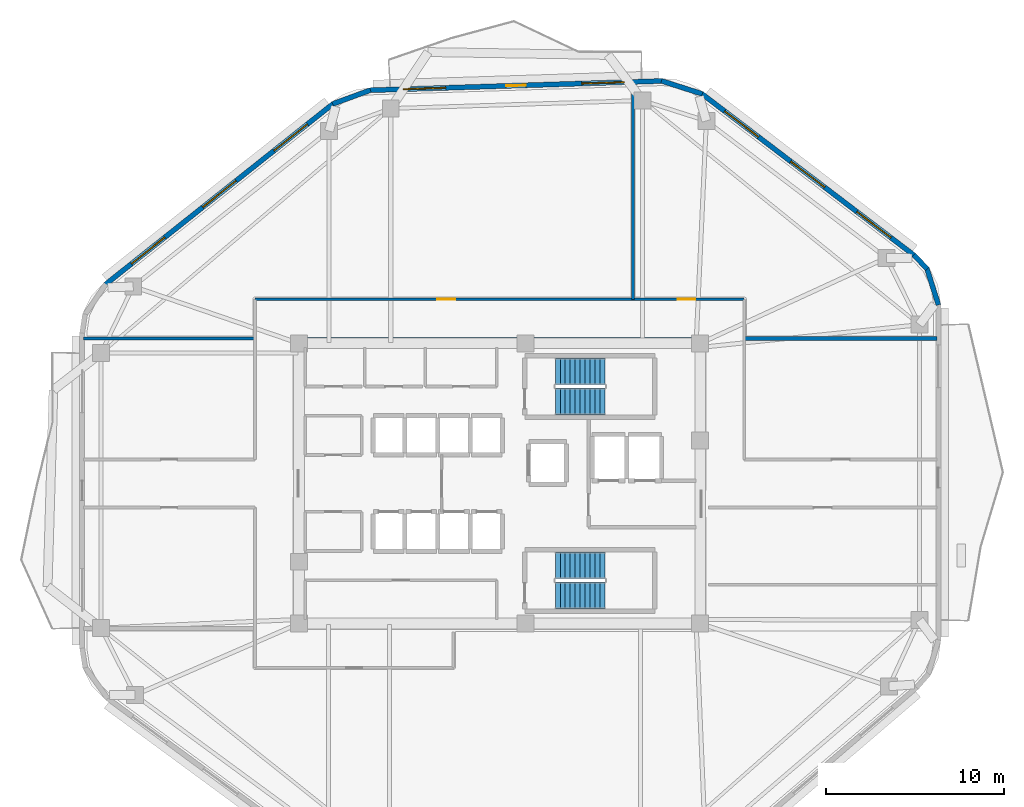
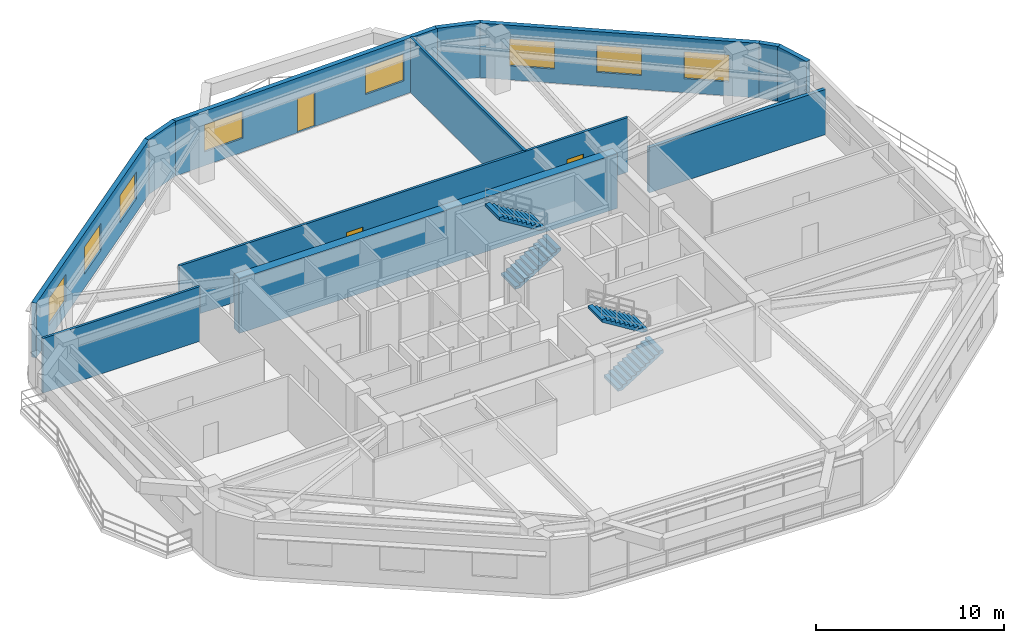
# One storey, part 10 of 12: 12 walls, 8 windows, 4 stair flights, 3 doors, 11 openings, 2 elements without a shape of their own.
"""IFC4 building model written with IfcOpenShell, lengths in metres."""

from ifc_helpers import new_model, si_unit, direction, frame, frame_2d, origin, place, context, subcontext, project, spatial, polyline, rectangle, outline, extrude, material, layer, layer_set, type_object, element, fill, aggregate, save


model = new_model("IFC4")

# Units and contexts
model_context = context("Model", 3, precision=1e-05, world=origin(), true_north=direction((0.0, 1.0)))
body_context = subcontext(model_context, "Body", "Model", "MODEL_VIEW")
ifc_project = project(units=[si_unit("LENGTHUNIT", "METRE"), si_unit("AREAUNIT", "SQUARE_METRE"), si_unit("VOLUMEUNIT", "CUBIC_METRE"), si_unit("PLANEANGLEUNIT", "RADIAN"), si_unit("MASSUNIT", "GRAM", prefix="KILO")], contexts=[model_context])

# Site, building, storey
site_placement = place(None, origin())
site = spatial("IfcSite", under=ifc_project, at=site_placement, CompositionType="ELEMENT")
building_placement = place(site_placement, origin())
building = spatial("IfcBuilding", under=site, at=building_placement, Name="Zulverin Broadcast Headquarters", CompositionType="ELEMENT")
storey_placement = place(building_placement, frame((0.0, 0.0, 185.800048828125)))
storey = spatial("IfcBuildingStorey", under=building, at=storey_placement, Name="L47", CompositionType="ELEMENT", Elevation=185.800048828125)

# Walls
ifc_material_1 = material(Name="Double-stud acoustic drywall", Category="gypsum")
ifc_layer_1 = layer(ifc_material_1, 0.219970703125, Name="Double-stud acoustic drywall", Category="gypsum")
ifc_layer_set_1 = layer_set([ifc_layer_1], Name="Double-stud acoustic drywall")
wall_type_1 = type_object("IfcWallType", Name="WL-ACOU-220", PredefinedType="PARTITIONING", material=ifc_layer_set_1)
wall_1_placement = place(storey_placement, frame((50.75, 33.35009765625, 0.0), z_axis=(0.0, 0.0, 1.0), x_axis=(1.0, 0.0, 0.0)))
element("IfcWall", 1, at=wall_1_placement, inside=storey, type_object=wall_type_1, Name="L47 Room Partition Wall RP-14", PredefinedType="PARTITIONING", context=body_context, shape_type="SweptSolid", body=[
    extrude(rectangle(XDim=10.844970703125, YDim=0.219970703125, at=frame_2d((5.42236328125, 0.0))), origin(), (0.0, 0.0, 1.0), 2.9228515625),
])
ifc_material_2 = material(Name="Concrete C60/75", Category="concrete")
ifc_layer_2 = layer(ifc_material_2, 0.550048828125, Name="Concrete C60/75", Category="concrete")
ifc_layer_set_2 = layer_set([ifc_layer_2], Name="Concrete C60/75")
wall_type_2 = type_object("IfcWallType", Name="WL-CORE-550", PredefinedType="SHEAR", material=ifc_layer_set_2)
wall_2_placement = place(storey_placement, frame((25.39990234375, 33.125, 0.0), z_axis=(0.0, 0.0, 1.0), x_axis=(1.0, 0.0, 0.0)))
element("IfcWall", 2, at=wall_2_placement, inside=storey, type_object=wall_type_2, Name="L47 Core North Shear Wall", PredefinedType="SHEAR", context=body_context, shape_type="SweptSolid", body=[
    extrude(rectangle(XDim=23.2001953125, YDim=0.550048828125, at=frame_2d((11.60009765625, 0.0))), origin(), (0.0, 0.0, 1.0), 3.5400390625),
])

# Wall, openings, windows
ifc_material_3 = material(Name="Insulated pale-metal clad concrete spandrel C40/50", Category="concrete")
ifc_layer_3 = layer(ifc_material_3, 0.280029296875, Name="Insulated pale-metal clad concrete spandrel C40/50", Category="concrete")
ifc_layer_set_3 = layer_set([ifc_layer_3], Name="Insulated pale-metal clad concrete spandrel C40/50")
wall_type_3 = type_object("IfcWallType", Name="WL-EXT-280", PredefinedType="STANDARD", material=ifc_layer_set_3)
wall_3_placement = place(storey_placement, frame((60.294921875, 38.025146484375, 0.0), z_axis=(0.0, 0.0, 1.0), x_axis=(-0.795831760834, 0.605517801925, 0.0)))
wall_3 = element("IfcWall", 3, at=wall_3_placement, inside=storey, type_object=wall_type_3, Name="L47 Pale-Metal Clad Spandrel Wall 4", PredefinedType="STANDARD", context=body_context, shape_type="SweptSolid", body=[
    extrude(rectangle(XDim=15.01171875, YDim=0.280029296875, at=frame_2d((7.505859375, 0.0))), origin(), (0.0, 0.0, 1.0), 3.5400390625),
])
opening_1_placement = place(wall_3_placement, frame((1.63525390625, 0.0, 0.89990234375)))
opening_1 = element("IfcOpeningElement", 4, at=opening_1_placement, cuts=wall_3, Name="Opening W-L47-E41", PredefinedType="OPENING", context=body_context, shape_type="SweptSolid", body=[
    extrude(rectangle(XDim=2.39990234375, YDim=1.75, at=frame_2d((1.199951171875, 0.875))), frame((0.0, 0.14990234375, 0.0), z_axis=(0.0, -1.0, 0.0), x_axis=(1.0, 0.0, 0.0)), (0.0, 0.0, 1.0), 0.300048828125),
])
opening_2_placement = place(wall_3_placement, frame((6.305908203125, 0.0, 0.89990234375)))
opening_2 = element("IfcOpeningElement", 5, at=opening_2_placement, cuts=wall_3, Name="Opening W-L47-E42", PredefinedType="OPENING", context=body_context, shape_type="SweptSolid", body=[
    extrude(rectangle(XDim=2.39990234375, YDim=1.75, at=frame_2d((1.199951171875, 0.875))), frame((0.0, 0.14990234375, 0.0), z_axis=(0.0, -1.0, 0.0), x_axis=(1.0, 0.0, 0.0)), (0.0, 0.0, 1.0), 0.300048828125),
])
opening_3_placement = place(wall_3_placement, frame((10.9765625, 0.0, 0.89990234375)))
opening_3 = element("IfcOpeningElement", 6, at=opening_3_placement, cuts=wall_3, Name="Opening W-L47-E43", PredefinedType="OPENING", context=body_context, shape_type="SweptSolid", body=[
    extrude(rectangle(XDim=2.39990234375, YDim=1.75, at=frame_2d((1.199951171875, 0.875))), frame((0.0, 0.14990234375, 0.0), z_axis=(0.0, -1.0, 0.0), x_axis=(1.0, 0.0, 0.0)), (0.0, 0.0, 1.0), 0.300048828125),
])
ifc_material_4 = material(Name="Pale anodized aluminium frame with solar-control low-E double glazing", Category="aluminium")
window_type = type_object("IfcWindowType", Name="WIN-RIB-2400", PartitioningType="SINGLE_PANEL", PredefinedType="WINDOW", material=ifc_material_4)
window_1_placement = place(opening_1_placement, origin())
window_1 = element("IfcWindow", 7, at=window_1_placement, inside=storey, type_object=window_type, Name="L47 Ribbon Glazing Window 4 1", OverallHeight=1.75, OverallWidth=2.39990234375, PartitioningType="SINGLE_PANEL", PredefinedType="WINDOW", context=body_context, shape_type="SweptSolid", body=[
    extrude(rectangle(XDim=2.39990234375, YDim=1.75, at=frame_2d((1.199951171875, 0.875))), frame((0.0, 0.030029296875, 0.0), z_axis=(0.0, -1.0, 0.0), x_axis=(1.0, 0.0, 0.0)), (0.0, 0.0, 1.0), 0.06005859375),
])
fill(opening_1, window_1)
window_2_placement = place(opening_2_placement, origin())
window_2 = element("IfcWindow", 8, at=window_2_placement, inside=storey, type_object=window_type, Name="L47 Ribbon Glazing Window 4 2", OverallHeight=1.75, OverallWidth=2.39990234375, PartitioningType="SINGLE_PANEL", PredefinedType="WINDOW", context=body_context, shape_type="SweptSolid", body=[
    extrude(rectangle(XDim=2.39990234375, YDim=1.75, at=frame_2d((1.199951171875, 0.875))), frame((0.0, 0.030029296875, 0.0), z_axis=(0.0, -1.0, 0.0), x_axis=(1.0, 0.0, 0.0)), (0.0, 0.0, 1.0), 0.06005859375),
])
fill(opening_2, window_2)
window_3_placement = place(opening_3_placement, origin())
window_3 = element("IfcWindow", 9, at=window_3_placement, inside=storey, type_object=window_type, Name="L47 Ribbon Glazing Window 4 3", OverallHeight=1.75, OverallWidth=2.39990234375, PartitioningType="SINGLE_PANEL", PredefinedType="WINDOW", context=body_context, shape_type="SweptSolid", body=[
    extrude(rectangle(XDim=2.39990234375, YDim=1.75, at=frame_2d((1.199951171875, 0.875))), frame((0.0, 0.030029296875, 0.0), z_axis=(0.0, -1.0, 0.0), x_axis=(1.0, 0.0, 0.0)), (0.0, 0.0, 1.0), 0.06005859375),
])
fill(opening_3, window_3)

# Wall, openings, door, windows
wall_4_placement = place(storey_placement, frame((46.143310546875, 47.819580078125, 0.0), z_axis=(0.0, 0.0, 1.0), x_axis=(-0.999497065256, -0.031711457627, 0.0)))
wall_4 = element("IfcWall", 10, at=wall_4_placement, inside=storey, type_object=wall_type_3, Name="L47 Pale-Metal Clad Spandrel Wall 5", PredefinedType="STANDARD", context=body_context, shape_type="SweptSolid", body=[
    extrude(rectangle(XDim=16.452392578125, YDim=0.280029296875, at=frame_2d((8.22607421875, 0.0))), origin(), (0.0, 0.0, 1.0), 3.5400390625),
])
opening_4_placement = place(wall_4_placement, frame((7.67626953125, 0.0, 0.0)))
opening_4 = element("IfcOpeningElement", 11, at=opening_4_placement, cuts=wall_4, Name="Opening D-L47-TR5", PredefinedType="OPENING", context=body_context, shape_type="SweptSolid", body=[
    extrude(rectangle(XDim=1.10009765625, YDim=2.199951171875, at=frame_2d((0.550048828125, 1.10009765625))), frame((0.0, 0.14990234375, 0.0), z_axis=(0.0, -1.0, 0.0), x_axis=(1.0, 0.0, 0.0)), (0.0, 0.0, 1.0), 0.300048828125),
])
opening_5_placement = place(wall_4_placement, frame((2.12548828125, 0.0, 0.89990234375)))
opening_5 = element("IfcOpeningElement", 12, at=opening_5_placement, cuts=wall_4, Name="Opening W-L47-E51", PredefinedType="OPENING", context=body_context, shape_type="SweptSolid", body=[
    extrude(rectangle(XDim=2.39990234375, YDim=1.75, at=frame_2d((1.199951171875, 0.875))), frame((0.0, 0.14990234375, 0.0), z_axis=(0.0, -1.0, 0.0), x_axis=(1.0, 0.0, 0.0)), (0.0, 0.0, 1.0), 0.300048828125),
])
opening_6_placement = place(wall_4_placement, frame((12.177001953125, 0.0, 0.89990234375)))
opening_6 = element("IfcOpeningElement", 13, at=opening_6_placement, cuts=wall_4, Name="Opening W-L47-E52", PredefinedType="OPENING", context=body_context, shape_type="SweptSolid", body=[
    extrude(rectangle(XDim=2.39990234375, YDim=1.75, at=frame_2d((1.199951171875, 0.875))), frame((0.0, 0.14990234375, 0.0), z_axis=(0.0, -1.0, 0.0), x_axis=(1.0, 0.0, 0.0)), (0.0, 0.0, 1.0), 0.300048828125),
])
ifc_material_5 = material(Name="Thermally broken aluminium glazed", Category="aluminium")
door_type_1 = type_object("IfcDoorType", Name="DR-TERR-1100", OperationType="SINGLE_SWING_RIGHT", PredefinedType="DOOR", material=ifc_material_5)
door_1_placement = place(opening_4_placement, origin())
door_1 = element("IfcDoor", 14, at=door_1_placement, inside=storey, type_object=door_type_1, Name="L47 Planted Terrace Glazed Access Door 5", OperationType="SINGLE_SWING_RIGHT", OverallHeight=2.199951171875, OverallWidth=1.10009765625, PredefinedType="DOOR", context=body_context, shape_type="SweptSolid", body=[
    extrude(rectangle(XDim=1.10009765625, YDim=2.199951171875, at=frame_2d((0.550048828125, 1.10009765625))), frame((0.0, 0.02490234375, 0.0), z_axis=(0.0, -1.0, 0.0), x_axis=(1.0, 0.0, 0.0)), (0.0, 0.0, 1.0), 0.050048828125),
])
fill(opening_4, door_1)
window_4_placement = place(opening_5_placement, origin())
window_4 = element("IfcWindow", 15, at=window_4_placement, inside=storey, type_object=window_type, Name="L47 Ribbon Glazing Window 5 1", OverallHeight=1.75, OverallWidth=2.39990234375, PartitioningType="SINGLE_PANEL", PredefinedType="WINDOW", context=body_context, shape_type="SweptSolid", body=[
    extrude(rectangle(XDim=2.39990234375, YDim=1.75, at=frame_2d((1.199951171875, 0.875))), frame((0.0, 0.030029296875, 0.0), z_axis=(0.0, -1.0, 0.0), x_axis=(1.0, 0.0, 0.0)), (0.0, 0.0, 1.0), 0.06005859375),
])
fill(opening_5, window_4)
window_5_placement = place(opening_6_placement, origin())
window_5 = element("IfcWindow", 16, at=window_5_placement, inside=storey, type_object=window_type, Name="L47 Ribbon Glazing Window 5 2", OverallHeight=1.75, OverallWidth=2.39990234375, PartitioningType="SINGLE_PANEL", PredefinedType="WINDOW", context=body_context, shape_type="SweptSolid", body=[
    extrude(rectangle(XDim=2.39990234375, YDim=1.75, at=frame_2d((1.199951171875, 0.875))), frame((0.0, 0.030029296875, 0.0), z_axis=(0.0, -1.0, 0.0), x_axis=(1.0, 0.0, 0.0)), (0.0, 0.0, 1.0), 0.06005859375),
])
fill(opening_6, window_5)

# Wall, openings, windows
wall_5_placement = place(storey_placement, frame((27.657958984375, 46.5498046875, 0.0), z_axis=(0.0, 0.0, 1.0), x_axis=(-0.783266285861, -0.621686356158, 0.0)))
wall_5 = element("IfcWall", 17, at=wall_5_placement, inside=storey, type_object=wall_type_3, Name="L47 Pale-Metal Clad Spandrel Wall 6", PredefinedType="STANDARD", context=body_context, shape_type="SweptSolid", body=[
    extrude(rectangle(XDim=16.35302734375, YDim=0.280029296875, at=frame_2d((8.176513671875, 0.0))), origin(), (0.0, 0.0, 1.0), 3.5400390625),
])
opening_7_placement = place(wall_5_placement, frame((1.85888671875, 0.0, 0.89990234375)))
opening_7 = element("IfcOpeningElement", 18, at=opening_7_placement, cuts=wall_5, Name="Opening W-L47-E61", PredefinedType="OPENING", context=body_context, shape_type="SweptSolid", body=[
    extrude(rectangle(XDim=2.39990234375, YDim=1.75, at=frame_2d((1.199951171875, 0.875))), frame((0.0, 0.14990234375, 0.0), z_axis=(0.0, -1.0, 0.0), x_axis=(1.0, 0.0, 0.0)), (0.0, 0.0, 1.0), 0.300048828125),
])
opening_8_placement = place(wall_5_placement, frame((6.9765625, 0.0, 0.89990234375)))
opening_8 = element("IfcOpeningElement", 19, at=opening_8_placement, cuts=wall_5, Name="Opening W-L47-E62", PredefinedType="OPENING", context=body_context, shape_type="SweptSolid", body=[
    extrude(rectangle(XDim=2.39990234375, YDim=1.75, at=frame_2d((1.199951171875, 0.875))), frame((0.0, 0.14990234375, 0.0), z_axis=(0.0, -1.0, 0.0), x_axis=(1.0, 0.0, 0.0)), (0.0, 0.0, 1.0), 0.300048828125),
])
opening_9_placement = place(wall_5_placement, frame((12.09423828125, 0.0, 0.89990234375)))
opening_9 = element("IfcOpeningElement", 20, at=opening_9_placement, cuts=wall_5, Name="Opening W-L47-E63", PredefinedType="OPENING", context=body_context, shape_type="SweptSolid", body=[
    extrude(rectangle(XDim=2.39990234375, YDim=1.75, at=frame_2d((1.199951171875, 0.875))), frame((0.0, 0.14990234375, 0.0), z_axis=(0.0, -1.0, 0.0), x_axis=(1.0, 0.0, 0.0)), (0.0, 0.0, 1.0), 0.300048828125),
])
window_6_placement = place(opening_7_placement, origin())
window_6 = element("IfcWindow", 21, at=window_6_placement, inside=storey, type_object=window_type, Name="L47 Ribbon Glazing Window 6 1", OverallHeight=1.75, OverallWidth=2.39990234375, PartitioningType="SINGLE_PANEL", PredefinedType="WINDOW", context=body_context, shape_type="SweptSolid", body=[
    extrude(rectangle(XDim=2.39990234375, YDim=1.75, at=frame_2d((1.199951171875, 0.875))), frame((0.0, 0.030029296875, 0.0), z_axis=(0.0, -1.0, 0.0), x_axis=(1.0, 0.0, 0.0)), (0.0, 0.0, 1.0), 0.06005859375),
])
fill(opening_7, window_6)
window_7_placement = place(opening_8_placement, origin())
window_7 = element("IfcWindow", 22, at=window_7_placement, inside=storey, type_object=window_type, Name="L47 Ribbon Glazing Window 6 2", OverallHeight=1.75, OverallWidth=2.39990234375, PartitioningType="SINGLE_PANEL", PredefinedType="WINDOW", context=body_context, shape_type="SweptSolid", body=[
    extrude(rectangle(XDim=2.39990234375, YDim=1.75, at=frame_2d((1.199951171875, 0.875))), frame((0.0, 0.030029296875, 0.0), z_axis=(0.0, -1.0, 0.0), x_axis=(1.0, 0.0, 0.0)), (0.0, 0.0, 1.0), 0.06005859375),
])
fill(opening_8, window_7)
window_8_placement = place(opening_9_placement, origin())
window_8 = element("IfcWindow", 23, at=window_8_placement, inside=storey, type_object=window_type, Name="L47 Ribbon Glazing Window 6 3", OverallHeight=1.75, OverallWidth=2.39990234375, PartitioningType="SINGLE_PANEL", PredefinedType="WINDOW", context=body_context, shape_type="SweptSolid", body=[
    extrude(rectangle(XDim=2.39990234375, YDim=1.75, at=frame_2d((1.199951171875, 0.875))), frame((0.0, 0.030029296875, 0.0), z_axis=(0.0, -1.0, 0.0), x_axis=(1.0, 0.0, 0.0)), (0.0, 0.0, 1.0), 0.06005859375),
])
fill(opening_9, window_8)

# Walls
wall_6_placement = place(storey_placement, frame((61.66650390625, 35.229248046875, 0.0), z_axis=(0.0, 0.0, 1.0), x_axis=(-0.302044777107, 0.953293738898, 0.0)))
element("IfcWall", 24, at=wall_6_placement, inside=storey, type_object=wall_type_3, Name="L47 Wind-Shaped Corner Spandrel Wall 3-1", PredefinedType="STANDARD", context=body_context, shape_type="SweptSolid", body=[
    extrude(rectangle(XDim=2.17431640625, YDim=0.280029296875, at=frame_2d((1.087158203125, 0.0))), origin(), (0.0, 0.0, 1.0), 3.5400390625),
])
wall_7_placement = place(storey_placement, frame((61.04248046875, 37.247314453125, 0.0), z_axis=(0.0, 0.0, 1.0), x_axis=(-0.694004126367, 0.719971022045, 0.0)))
element("IfcWall", 25, at=wall_7_placement, inside=storey, type_object=wall_type_3, Name="L47 Wind-Shaped Corner Spandrel Wall 3-2", PredefinedType="STANDARD", context=body_context, shape_type="SweptSolid", body=[
    extrude(rectangle(XDim=1.10009765625, YDim=0.280029296875, at=frame_2d((0.550048828125, 0.0))), origin(), (0.0, 0.0, 1.0), 3.5400390625),
])
wall_8_placement = place(storey_placement, frame((48.390380859375, 47.093017578125, 0.0), z_axis=(0.0, 0.0, 1.0), x_axis=(-0.952542948918, 0.304404222156, 0.0)))
element("IfcWall", 26, at=wall_8_placement, inside=storey, type_object=wall_type_3, Name="L47 Wind-Shaped Corner Spandrel Wall 4-1", PredefinedType="STANDARD", context=body_context, shape_type="SweptSolid", body=[
    extrude(rectangle(XDim=2.408447265625, YDim=0.280029296875, at=frame_2d((1.2041015625, 0.0))), origin(), (0.0, 0.0, 1.0), 3.5400390625),
])
wall_9_placement = place(storey_placement, frame((29.742919921875, 47.306396484375, 0.0), z_axis=(0.0, 0.0, 1.0), x_axis=(-0.93893328381, -0.344099242302, 0.0)))
element("IfcWall", 27, at=wall_9_placement, inside=storey, type_object=wall_type_3, Name="L47 Wind-Shaped Corner Spandrel Wall 5-1", PredefinedType="STANDARD", context=body_context, shape_type="SweptSolid", body=[
    extrude(rectangle(XDim=2.261962890625, YDim=0.280029296875, at=frame_2d((1.130859375, 0.0))), origin(), (0.0, 0.0, 1.0), 3.5400390625),
])
ifc_material_6 = material(Name="Fire-rated gypsum stud partition", Category="gypsum")
ifc_layer_4 = layer(ifc_material_6, 0.14990234375, Name="Fire-rated gypsum stud partition", Category="gypsum")
ifc_layer_set_4 = layer_set([ifc_layer_4], Name="Fire-rated gypsum stud partition")
wall_type_4 = type_object("IfcWallType", Name="WL-PART-150", PredefinedType="PARTITIONING", material=ifc_layer_set_4)
wall_10_placement = place(storey_placement, frame((44.5, 35.550048828125, 0.0), z_axis=(0.0, 0.0, 1.0), x_axis=(0.0, 1.0, 0.0)))
element("IfcWall", 28, at=wall_10_placement, inside=storey, type_object=wall_type_4, Name="L47 Room Partition Wall RP-02", PredefinedType="PARTITIONING", context=body_context, shape_type="SweptSolid", body=[
    extrude(rectangle(XDim=12.15234375, YDim=0.14990234375, at=frame_2d((6.076171875, 0.0))), origin(), (0.0, 0.0, 1.0), 3.5400390625),
])
wall_11_placement = place(storey_placement, frame((13.60498046875, 33.35009765625, 0.0), z_axis=(0.0, 0.0, 1.0), x_axis=(1.0, 0.0, 0.0)))
element("IfcWall", 29, at=wall_11_placement, inside=storey, type_object=wall_type_4, Name="L47 Room Partition Wall RP-13", PredefinedType="PARTITIONING", context=body_context, shape_type="SweptSolid", body=[
    extrude(rectangle(XDim=9.64501953125, YDim=0.14990234375, at=frame_2d((4.822509765625, 0.0))), origin(), (0.0, 0.0, 1.0), 3.5400390625),
])

# Wall, openings, doors
wall_12_placement = place(storey_placement, frame((23.25, 35.550048828125, 0.0), z_axis=(0.0, 0.0, 1.0), x_axis=(1.0, 0.0, 0.0)))
wall_12 = element("IfcWall", 30, at=wall_12_placement, inside=storey, type_object=wall_type_4, Name="L47 Gallery Partition Wall CG-15", PredefinedType="PARTITIONING", context=body_context, shape_type="SweptSolid", body=[
    extrude(rectangle(XDim=27.5, YDim=0.14990234375, at=frame_2d((13.75, 0.0))), origin(), (0.0, 0.0, 1.0), 3.5400390625),
])
opening_10_placement = place(wall_12_placement, frame((10.2451171875, 0.0, 0.0)))
opening_10 = element("IfcOpeningElement", 31, at=opening_10_placement, cuts=wall_12, Name="Opening D-L47-01", PredefinedType="OPENING", context=body_context, shape_type="SweptSolid", body=[
    extrude(rectangle(XDim=1.0, YDim=2.1201171875, at=frame_2d((0.5, 1.06005859375))), frame((0.0, 0.0849609375, 0.0), z_axis=(0.0, -1.0, 0.0), x_axis=(1.0, 0.0, 0.0)), (0.0, 0.0, 1.0), 0.169921875),
])
opening_11_placement = place(wall_12_placement, frame((23.7548828125, 0.0, 0.0)))
opening_11 = element("IfcOpeningElement", 32, at=opening_11_placement, cuts=wall_12, Name="Opening D-L47-02", PredefinedType="OPENING", context=body_context, shape_type="SweptSolid", body=[
    extrude(rectangle(XDim=1.0, YDim=2.1201171875, at=frame_2d((0.5, 1.06005859375))), frame((0.0, 0.0849609375, 0.0), z_axis=(0.0, -1.0, 0.0), x_axis=(1.0, 0.0, 0.0)), (0.0, 0.0, 1.0), 0.169921875),
])
ifc_material_7 = material(Name="Hardwood veneer acoustic leaf", Category="wood")
door_type_2 = type_object("IfcDoorType", Name="DR-OFF-1000", OperationType="SINGLE_SWING_LEFT", PredefinedType="DOOR", material=ifc_material_7)
door_2_placement = place(opening_10_placement, origin())
door_2 = element("IfcDoor", 33, at=door_2_placement, inside=storey, type_object=door_type_2, Name="L47 Weather & Climate Office Door", OperationType="SINGLE_SWING_RIGHT", OverallHeight=2.1201171875, OverallWidth=1.0, PredefinedType="DOOR", context=body_context, shape_type="SweptSolid", body=[
    extrude(rectangle(XDim=1.0, YDim=2.1201171875, at=frame_2d((0.5, 1.06005859375))), frame((0.0, 0.02490234375, 0.0), z_axis=(0.0, -1.0, 0.0), x_axis=(1.0, 0.0, 0.0)), (0.0, 0.0, 1.0), 0.050048828125),
])
fill(opening_10, door_2)
door_3_placement = place(opening_11_placement, origin())
door_3 = element("IfcDoor", 34, at=door_3_placement, inside=storey, type_object=door_type_2, Name="L47 Data Journalism Open Workplace Door", OperationType="SINGLE_SWING_LEFT", OverallHeight=2.1201171875, OverallWidth=1.0, PredefinedType="DOOR", context=body_context, shape_type="SweptSolid", body=[
    extrude(rectangle(XDim=1.0, YDim=2.1201171875, at=frame_2d((0.5, 1.06005859375))), frame((0.0, 0.02490234375, 0.0), z_axis=(0.0, -1.0, 0.0), x_axis=(1.0, 0.0, 0.0)), (0.0, 0.0, 1.0), 0.050048828125),
])
fill(opening_11, door_3)

# Stair, stair flights
ifc_material_8 = material(Name="Concrete C40/50", Category="concrete")
stair_type = type_object("IfcStairType", Name="ST-CORE-1500", PredefinedType="HALF_TURN_STAIR", material=ifc_material_8)
stair_1_placement = place(storey_placement, origin())
stair_1 = element("IfcStair", 35, at=stair_1_placement, inside=storey, type_object=stair_type, Name="L47 Core Exit Stair ST-1", PredefinedType="HALF_TURN_STAIR")
stair_flight_type = type_object("IfcStairFlightType", Name="SF-CORE-1500", PredefinedType="STRAIGHT", material=ifc_material_8)
stair_flight_1_placement = place(storey_placement, frame((40.1298828125, 29.800048828125, 0.0), z_axis=(0.0, 0.0, 1.0), x_axis=(1.0, 0.0, 0.0)))
stair_flight_1 = element("IfcStairFlight", 36, at=stair_flight_1_placement, type_object=stair_flight_type, Name="ST-1 flight 1", NumberOfRisers=11, NumberOfTreads=10, PredefinedType="STRAIGHT", RiserHeight=0.172727273, TreadLength=0.28, context=body_context, shape_type="SweptSolid", body=[
    extrude(outline(polyline([(0.0, 0.0), (0.0, 0.172607421875), (0.280029296875, 0.172607421875), (0.280029296875, 0.345458984375), (0.56005859375, 0.345458984375), (0.56005859375, 0.51806640625), (0.840087890625, 0.51806640625), (0.840087890625, 0.69091796875), (1.1201171875, 0.69091796875), (1.1201171875, 0.863525390625), (1.39990234375, 0.863525390625), (1.39990234375, 1.036376953125), (1.679931640625, 1.036376953125), (1.679931640625, 1.208984375), (1.9599609375, 1.208984375), (1.9599609375, 1.3818359375), (2.239990234375, 1.3818359375), (2.239990234375, 1.554443359375), (2.52001953125, 1.554443359375), (2.52001953125, 1.727294921875), (2.800048828125, 1.727294921875), (2.800048828125, 1.89990234375), (2.800048828125, 1.551025390625), (0.285400390625, 0.0), (0.0, 0.0)])), frame((0.0, 0.75, 0.0), z_axis=(0.0, -1.0, 0.0), x_axis=(1.0, 0.0, 0.0)), (0.0, 0.0, 1.0), 1.5),
])
stair_flight_2_placement = place(storey_placement, frame((42.929931640625, 31.5, 1.89990234375), z_axis=(0.0, 0.0, 1.0), x_axis=(-1.0, 0.0, 0.0)))
stair_flight_2 = element("IfcStairFlight", 37, at=stair_flight_2_placement, type_object=stair_flight_type, Name="ST-1 flight 2", NumberOfRisers=11, NumberOfTreads=10, PredefinedType="STRAIGHT", RiserHeight=0.172727273, TreadLength=0.28, context=body_context, shape_type="SweptSolid", body=[
    extrude(outline(polyline([(0.0, 0.0), (0.0, 0.172607421875), (0.280029296875, 0.172607421875), (0.280029296875, 0.345458984375), (0.56005859375, 0.345458984375), (0.56005859375, 0.51806640625), (0.840087890625, 0.51806640625), (0.840087890625, 0.69091796875), (1.1201171875, 0.69091796875), (1.1201171875, 0.863525390625), (1.39990234375, 0.863525390625), (1.39990234375, 1.036376953125), (1.679931640625, 1.036376953125), (1.679931640625, 1.208984375), (1.9599609375, 1.208984375), (1.9599609375, 1.3818359375), (2.239990234375, 1.3818359375), (2.239990234375, 1.554443359375), (2.52001953125, 1.554443359375), (2.52001953125, 1.727294921875), (2.800048828125, 1.727294921875), (2.800048828125, 1.89990234375), (2.800048828125, 1.551025390625), (0.285400390625, 0.0), (0.0, 0.0)])), frame((0.0, 0.75, 0.0), z_axis=(0.0, -1.0, 0.0), x_axis=(1.0, 0.0, 0.0)), (0.0, 0.0, 1.0), 1.5),
])
aggregate(stair_1, [stair_flight_1, stair_flight_2])

stair_2_placement = place(storey_placement, origin())
stair_2 = element("IfcStair", 38, at=stair_2_placement, inside=storey, type_object=stair_type, Name="L47 Core Exit Stair ST-2", PredefinedType="HALF_TURN_STAIR")
stair_flight_3_placement = place(storey_placement, frame((40.1298828125, 18.89990234375, 0.0), z_axis=(0.0, 0.0, 1.0), x_axis=(1.0, 0.0, 0.0)))
stair_flight_3 = element("IfcStairFlight", 39, at=stair_flight_3_placement, type_object=stair_flight_type, Name="ST-2 flight 1", NumberOfRisers=11, NumberOfTreads=10, PredefinedType="STRAIGHT", RiserHeight=0.172727273, TreadLength=0.28, context=body_context, shape_type="SweptSolid", body=[
    extrude(outline(polyline([(0.0, 0.0), (0.0, 0.172607421875), (0.280029296875, 0.172607421875), (0.280029296875, 0.345458984375), (0.56005859375, 0.345458984375), (0.56005859375, 0.51806640625), (0.840087890625, 0.51806640625), (0.840087890625, 0.69091796875), (1.1201171875, 0.69091796875), (1.1201171875, 0.863525390625), (1.39990234375, 0.863525390625), (1.39990234375, 1.036376953125), (1.679931640625, 1.036376953125), (1.679931640625, 1.208984375), (1.9599609375, 1.208984375), (1.9599609375, 1.3818359375), (2.239990234375, 1.3818359375), (2.239990234375, 1.554443359375), (2.52001953125, 1.554443359375), (2.52001953125, 1.727294921875), (2.800048828125, 1.727294921875), (2.800048828125, 1.89990234375), (2.800048828125, 1.551025390625), (0.285400390625, 0.0), (0.0, 0.0)])), frame((0.0, 0.75, 0.0), z_axis=(0.0, -1.0, 0.0), x_axis=(1.0, 0.0, 0.0)), (0.0, 0.0, 1.0), 1.5),
])
stair_flight_4_placement = place(storey_placement, frame((42.929931640625, 20.60009765625, 1.89990234375), z_axis=(0.0, 0.0, 1.0), x_axis=(-1.0, 0.0, 0.0)))
stair_flight_4 = element("IfcStairFlight", 40, at=stair_flight_4_placement, type_object=stair_flight_type, Name="ST-2 flight 2", NumberOfRisers=11, NumberOfTreads=10, PredefinedType="STRAIGHT", RiserHeight=0.172727273, TreadLength=0.28, context=body_context, shape_type="SweptSolid", body=[
    extrude(outline(polyline([(0.0, 0.0), (0.0, 0.172607421875), (0.280029296875, 0.172607421875), (0.280029296875, 0.345458984375), (0.56005859375, 0.345458984375), (0.56005859375, 0.51806640625), (0.840087890625, 0.51806640625), (0.840087890625, 0.69091796875), (1.1201171875, 0.69091796875), (1.1201171875, 0.863525390625), (1.39990234375, 0.863525390625), (1.39990234375, 1.036376953125), (1.679931640625, 1.036376953125), (1.679931640625, 1.208984375), (1.9599609375, 1.208984375), (1.9599609375, 1.3818359375), (2.239990234375, 1.3818359375), (2.239990234375, 1.554443359375), (2.52001953125, 1.554443359375), (2.52001953125, 1.727294921875), (2.800048828125, 1.727294921875), (2.800048828125, 1.89990234375), (2.800048828125, 1.551025390625), (0.285400390625, 0.0), (0.0, 0.0)])), frame((0.0, 0.75, 0.0), z_axis=(0.0, -1.0, 0.0), x_axis=(1.0, 0.0, 0.0)), (0.0, 0.0, 1.0), 1.5),
])
aggregate(stair_2, [stair_flight_3, stair_flight_4])

save(model, "model.ifc")
